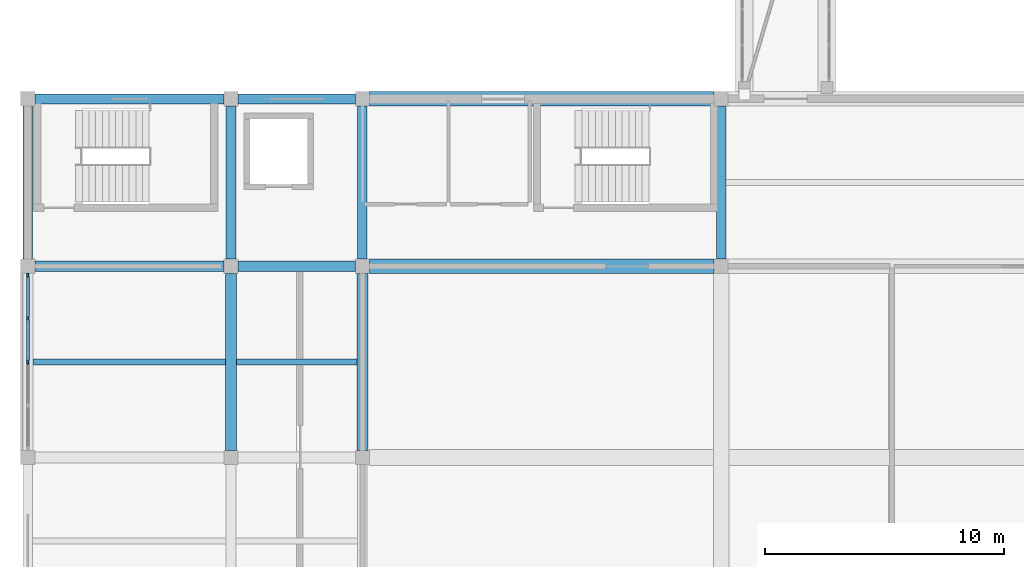
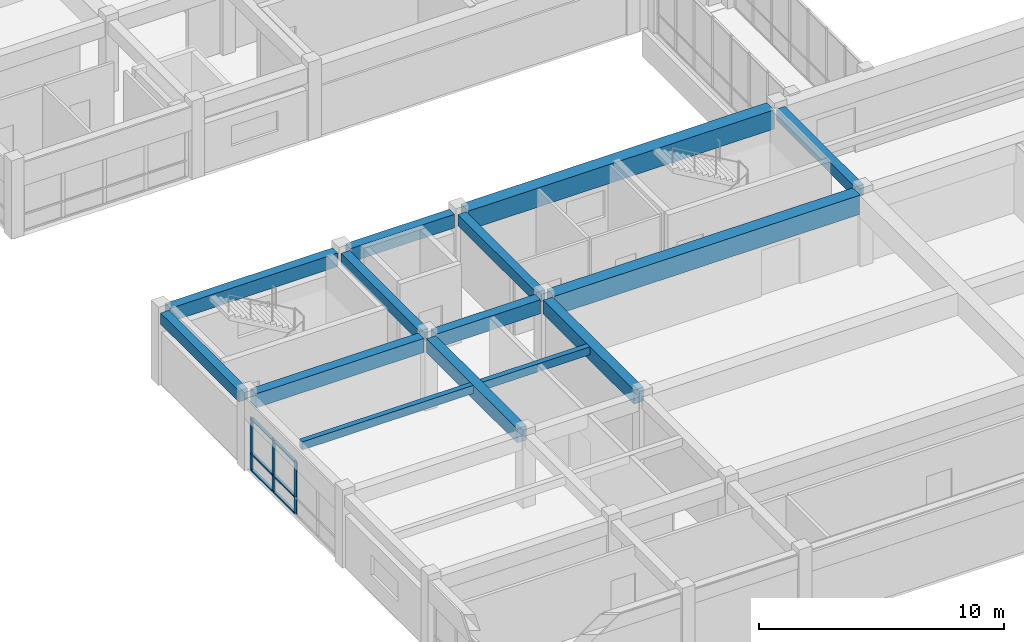
# One storey, part 5 of 66: 14 beams, 9 members, 1 element without a shape of its own.
"""IFC4 building model written with IfcOpenShell, lengths in metres."""

import ifcopenshell
import ifcopenshell.guid

model = None  # the IFC model being written
_history = None  # IfcOwnerHistory: only IFC2X3 demands one
_inside = {}  # id of a spatial element -> (the spatial element, [elements in it])
_under = {}  # id of a project, library or spatial element -> (it, [spatial elements below it])
_declared = {}  # id of a project -> (the project, [libraries it declares])
_typed = {}  # id of a type object -> (the type object, [elements of that type])
_made_of = {}  # id of a material, layer set ... -> (it, [elements and type objects made of it])


def new_model(schema):
    """Start an empty IFC model of exactly this schema.

    Asked for "IFC4X3", IfcOpenShell would pick the latest addendum, in which some entities
    have other attributes; the version numbers below select the first issue.
    IFC2X3 requires an IfcOwnerHistory on every rooted entity: one is made here for all.
    """
    global model, _history
    if schema == "IFC4X3":
        model = ifcopenshell.file(schema_version=(4, 3, 0, 0))
    else:
        model = ifcopenshell.file(schema=schema)
    _inside.clear()
    _under.clear()
    _declared.clear()
    _typed.clear()
    _made_of.clear()
    _history = None
    if model.schema == "IFC2X3":
        org = make("IfcOrganization", Name="unknown")
        user = make(
            "IfcPersonAndOrganization",
            ThePerson=make("IfcPerson", FamilyName="unknown"),
            TheOrganization=org,
        )
        app = make(
            "IfcApplication",
            ApplicationDeveloper=org,
            Version="unknown",
            ApplicationFullName="unknown",
            ApplicationIdentifier="unknown",
        )
        _history = make(
            "IfcOwnerHistory",
            OwningUser=user,
            OwningApplication=app,
            ChangeAction="ADDED",
            CreationDate=0,
        )
    return model


def make(cls, **values):
    """One entity of the class cls with the attributes given. An attribute that is None is left unset."""
    return model.create_entity(
        cls, **{name: value for name, value in values.items() if value is not None}
    )


def rooted(cls, **values):
    """An entity with a GlobalId (a new one), such as an element, a storey or a relation."""
    return make(cls, GlobalId=ifcopenshell.guid.new(), OwnerHistory=_history, **values)


def si_unit(unit_type, name, prefix=None):
    """IfcSIUnit, for example si_unit("LENGTHUNIT", "METRE", prefix="MILLI")."""
    return make("IfcSIUnit", UnitType=unit_type, Prefix=prefix, Name=name)


def assignment(units):
    """IfcUnitAssignment: the units of a project."""
    return None if units is None else make("IfcUnitAssignment", Units=units)


def point(xyz):
    """IfcCartesianPoint."""
    return None if xyz is None else make("IfcCartesianPoint", Coordinates=xyz)


def direction(xyz):
    """IfcDirection."""
    return None if xyz is None else make("IfcDirection", DirectionRatios=xyz)


def frame(location, z_axis=None, x_axis=None):
    """IfcAxis2Placement3D, a coordinate frame: its origin and axes. An axis left out is left unset."""
    return make(
        "IfcAxis2Placement3D",
        Location=point(location),
        Axis=direction(z_axis),
        RefDirection=direction(x_axis),
    )


def frame_2d(location, x_axis=None):
    """IfcAxis2Placement2D, a coordinate frame in the plane: its origin and x axis."""
    return make(
        "IfcAxis2Placement2D", Location=point(location), RefDirection=direction(x_axis)
    )


def origin():
    """The frame at (0, 0, 0) with its axes left unset."""
    return frame((0.0, 0.0, 0.0))


def origin_2d():
    """The frame at (0, 0) in the plane with its x axis left unset."""
    return frame_2d((0.0, 0.0))


def place(relative_to, where):
    """IfcLocalPlacement: puts the frame where relative to a parent placement (None: the world)."""
    return make(
        "IfcLocalPlacement", PlacementRelTo=relative_to, RelativePlacement=where
    )


def context(
    kind, dimensions, precision=None, world=None, true_north=None, identifier=None
):
    """IfcGeometricRepresentationContext, for example the 3D "Model" context."""
    return make(
        "IfcGeometricRepresentationContext",
        ContextIdentifier=identifier,
        ContextType=kind,
        CoordinateSpaceDimension=dimensions,
        Precision=precision,
        WorldCoordinateSystem=world,
        TrueNorth=true_north,
    )


def subcontext(parent, identifier, kind, view, scale=None):
    """IfcGeometricRepresentationSubContext, for example "Body" below "Model"."""
    return make(
        "IfcGeometricRepresentationSubContext",
        ContextIdentifier=identifier,
        ContextType=kind,
        ParentContext=parent,
        TargetScale=scale,
        TargetView=view,
    )


def project(units=None, contexts=None):
    """IfcProject with its units and contexts."""
    return rooted(
        "IfcProject",
        Name="project",
        RepresentationContexts=contexts,
        UnitsInContext=assignment(units),
    )


def spatial(cls, under=None, at=None, **own):
    """A site, building, storey or space (cls), placed at a placement, below another one or the project."""
    s = rooted(cls, ObjectPlacement=at, **own)
    if under is not None:
        _under.setdefault(under.id(), (under, []))[1].append(s)
    return s


def profile(cls, at=None, kind="AREA", **sizes):
    """A parametric profile (cls). Its sizes go by their IFC names, for example OverallWidth=200.0."""
    return make(cls, ProfileType=kind, Position=at, **sizes)


def rectangle(**sizes):
    """IfcRectangleProfileDef."""
    return profile("IfcRectangleProfileDef", **sizes)


def extrude(swept, where, along, depth):
    """IfcExtrudedAreaSolid: the profile swept, set in the frame where, extruded along a direction by depth."""
    return make(
        "IfcExtrudedAreaSolid",
        SweptArea=swept,
        Position=where,
        ExtrudedDirection=direction(along),
        Depth=depth,
    )


def shape(context_of_items, identifier, shape_type, items):
    """IfcShapeRepresentation: the items that make up one representation, for example the "Body"."""
    return make(
        "IfcShapeRepresentation",
        ContextOfItems=context_of_items,
        RepresentationIdentifier=identifier,
        RepresentationType=shape_type,
        Items=items,
    )


def material(Name=None, Category=None):
    """IfcMaterial."""
    return make("IfcMaterial", Name=Name, Category=Category)


def layer(
    of_material, thickness, ventilated=None, Name=None, Category=None, Priority=None
):
    """IfcMaterialLayer: one layer of a wall or slab, of a material (None: an air gap)."""
    return make(
        "IfcMaterialLayer",
        Material=of_material,
        LayerThickness=thickness,
        IsVentilated=ventilated,
        Name=Name,
        Category=Category,
        Priority=Priority,
    )


def layer_set(layers, Name=None):
    """IfcMaterialLayerSet."""
    return make("IfcMaterialLayerSet", MaterialLayers=layers, LayerSetName=Name)


def material_profile(
    of_material, cross_section, Name=None, Category=None, Priority=None
):
    """IfcMaterialProfile: a cross section and its material."""
    return make(
        "IfcMaterialProfile",
        Name=Name,
        Material=of_material,
        Profile=cross_section,
        Priority=Priority,
        Category=Category,
    )


def profile_set(profiles, Name=None, composite=None):
    """IfcMaterialProfileSet."""
    return make(
        "IfcMaterialProfileSet",
        Name=Name,
        MaterialProfiles=profiles,
        CompositeProfile=composite,
    )


def made_of(thing, what):
    """Note that an element or type object is made of a material, layer set ...; save() writes the relation."""
    if what is not None:
        _made_of.setdefault(what.id(), (what, []))[1].append(thing)
    return thing


def type_object(cls, material=None, **own):
    """A type object (cls), such as IfcWallType, which elements share."""
    return made_of(rooted(cls, **own), material)


def element(
    cls,
    number,
    at=None,
    inside=None,
    cuts=None,
    type_object=None,
    material=None,
    context=None,
    identifier="Body",
    shape_type=None,
    held_by="IfcProductDefinitionShape",
    body=None,
    shapes=None,
    **own,
):
    """One element of the class cls, such as IfcWall. Its Tag is "e" and its number.

    at: its placement. inside: the storey or other place that contains it. cuts: it is an
    opening in that element (IfcRelVoidsElement). A single representation is given by context,
    identifier, shape_type and body (its items); several are given by shapes. held_by: the class
    of the entity that holds the representations. save() writes the other relations.
    """
    e = rooted(cls, Tag="e%d" % number, ObjectPlacement=at, **own)
    if body is not None:
        shapes = [shape(context, identifier, shape_type, body)]
    if shapes is not None:
        e.Representation = make(held_by, Representations=shapes)
    if inside is not None:
        _inside.setdefault(inside.id(), (inside, []))[1].append(e)
    if cuts is not None:
        rooted(
            "IfcRelVoidsElement", RelatingBuildingElement=cuts, RelatedOpeningElement=e
        )
    if type_object is not None:
        _typed.setdefault(type_object.id(), (type_object, []))[1].append(e)
    return made_of(e, material)


def aggregate(whole, parts):
    """IfcRelAggregates: a whole, such as a stair, and the parts it consists of."""
    return rooted("IfcRelAggregates", RelatingObject=whole, RelatedObjects=parts)


def save(model, path):
    """Write the relations noted so far, then the file.

    IfcRelAggregates (storeys below a building ...), IfcRelContainedInSpatialStructure (elements
    in a storey), IfcRelDefinesByType, IfcRelAssociatesMaterial and IfcRelDeclares: one each for
    every whole, place, type object, material and project.
    """
    for whole, parts in _under.values():
        aggregate(whole, parts)
    for where, things in _inside.values():
        rooted(
            "IfcRelContainedInSpatialStructure",
            RelatedElements=things,
            RelatingStructure=where,
        )
    for kind, things in _typed.values():
        rooted("IfcRelDefinesByType", RelatedObjects=things, RelatingType=kind)
    for what, things in _made_of.values():
        rooted("IfcRelAssociatesMaterial", RelatedObjects=things, RelatingMaterial=what)
    for by, libraries in _declared.values():
        rooted("IfcRelDeclares", RelatingContext=by, RelatedDefinitions=libraries)
    model.write(path)


model = new_model("IFC4")

# Units and contexts
model_context = context("Model", 3, precision=1e-05, world=origin(), true_north=direction((0.0, 1.0)))
body_context = subcontext(model_context, "Body", "Model", "MODEL_VIEW")
ifc_project = project(units=[si_unit("LENGTHUNIT", "METRE"), si_unit("AREAUNIT", "SQUARE_METRE"), si_unit("VOLUMEUNIT", "CUBIC_METRE"), si_unit("PLANEANGLEUNIT", "RADIAN"), si_unit("MASSUNIT", "GRAM", prefix="KILO")], contexts=[model_context])

# Site, building, storey
site_placement = place(None, origin())
site = spatial("IfcSite", under=ifc_project, at=site_placement, CompositionType="ELEMENT")
building_placement = place(site_placement, origin())
building = spatial("IfcBuilding", under=site, at=building_placement, Name="Naurynzar Civic Courthouse", CompositionType="ELEMENT")
storey_placement = place(building_placement, frame((0.0, 0.0, 14.39990234375)))
storey = spatial("IfcBuildingStorey", under=building, at=storey_placement, Name="L04", CompositionType="ELEMENT", Elevation=14.39990234375)

# Beams
ifc_material_1 = material(Name="Concrete C40/50", Category="concrete")
ifc_material_profile_1 = material_profile(ifc_material_1, rectangle(XDim=0.25, YDim=0.39990234375, at=origin_2d()), Name="RCB 250x400")
ifc_profile_set_1 = profile_set([ifc_material_profile_1], Name="Concrete C40/50")
beam_type_1 = type_object("IfcBeamType", Name="BM-JST-250x400", PredefinedType="JOIST", material=ifc_profile_set_1)
beam_1_placement = place(storey_placement, frame((6.22509765625, 21.0, 3.380126953125), z_axis=(1.0, 0.0, 0.0), x_axis=(0.0, 1.0, 0.0)))
element("IfcBeam", 1, at=beam_1_placement, inside=storey, type_object=beam_type_1, Name="V4 secondary rib 1961 L04", PredefinedType="JOIST", context=body_context, shape_type="SweptSolid", body=[
    extrude(rectangle(XDim=0.25, YDim=0.39990234375, at=origin_2d()), origin(), (0.0, 0.0, 1.0), 8.0498046875),
])
beam_2_placement = place(storey_placement, frame((14.72509765625, 21.0, 3.380126953125), z_axis=(1.0, 0.0, 0.0), x_axis=(0.0, 1.0, 0.0)))
element("IfcBeam", 2, at=beam_2_placement, inside=storey, type_object=beam_type_1, Name="V4 secondary rib 1962 L04", PredefinedType="JOIST", context=body_context, shape_type="SweptSolid", body=[
    extrude(rectangle(XDim=0.25, YDim=0.39990234375, at=origin_2d()), origin(), (0.0, 0.0, 1.0), 5.0498046875),
])
ifc_material_2 = material(Name="Concrete C40/50", Category="concrete")
ifc_material_profile_2 = material_profile(ifc_material_2, rectangle(XDim=0.60009765625, YDim=0.949951171875, at=origin_2d()), Name="PTB 600x950")
ifc_profile_set_2 = profile_set([ifc_material_profile_2], Name="Concrete C40/50")
beam_type_2 = type_object("IfcBeamType", Name="BM-PT-600x950", PredefinedType="T_BEAM", material=ifc_profile_set_2)
for number, where, z_axis, x_axis, name in (
    (3, (20.300048828125, 25.0, 3.10498046875), (1.0, 0.0, 0.0), (0.0, 1.0, 0.0), "V4 beam X-1927 L04"),
    (4, (20.300048828125, 32.0, 3.10498046875), (1.0, 0.0, 0.0), (0.0, 1.0, 0.0), "V4 beam X-1932 L04"),
):
    element("IfcBeam", number, at=place(storey_placement, frame(where, z_axis=z_axis, x_axis=x_axis)), inside=storey, type_object=beam_type_2, Name=name, PredefinedType="T_BEAM", context=body_context, shape_type="SweptSolid", body=[
        extrude(rectangle(XDim=0.60009765625, YDim=0.949951171875, at=origin_2d()), origin(), (0.0, 0.0, 1.0), 14.39990234375),
    ])
ifc_material_3 = material(Name="Concrete C40/50", Category="concrete")
ifc_material_profile_3 = material_profile(ifc_material_3, rectangle(XDim=0.39990234375, YDim=0.550048828125, at=origin_2d()), Name="RCB 400x550")
ifc_profile_set_3 = profile_set([ifc_material_profile_3], Name="Concrete C40/50")
beam_type_3 = type_object("IfcBeamType", Name="BM-RC-400x550", PredefinedType="BEAM", material=ifc_profile_set_3)
for number, where, z_axis, x_axis, name in (
    (5, (6.0, 25.300048828125, 3.30517578125), (0.0, 1.0, 0.0), (-1.0, 0.0, 0.0), "V4 girder Y-1938 L04"),
    (6, (14.5, 25.300048828125, 3.30517578125), (0.0, 1.0, 0.0), (-1.0, 0.0, 0.0), "V4 girder Y-1942 L04"),
    (7, (20.0, 25.300048828125, 3.30517578125), (0.0, 1.0, 0.0), (-1.0, 0.0, 0.0), "V4 girder Y-1946 L04"),
    (8, (35.0, 25.300048828125, 3.30517578125), (0.0, 1.0, 0.0), (-1.0, 0.0, 0.0), "V4 girder Y-1949 L04"),
):
    element("IfcBeam", number, at=place(storey_placement, frame(where, z_axis=z_axis, x_axis=x_axis)), inside=storey, type_object=beam_type_3, Name=name, PredefinedType="BEAM", context=body_context, shape_type="SweptSolid", body=[
        extrude(rectangle(XDim=0.39990234375, YDim=0.550048828125, at=origin_2d()), origin(), (0.0, 0.0, 1.0), 6.39990234375),
    ])
ifc_material_4 = material(Name="Concrete C40/50", Category="concrete")
ifc_material_profile_4 = material_profile(ifc_material_4, rectangle(XDim=0.425048828125, YDim=0.675048828125, at=origin_2d()), Name="RCB 425x675")
ifc_profile_set_4 = profile_set([ifc_material_profile_4], Name="Concrete C40/50")
beam_type_4 = type_object("IfcBeamType", Name="BM-RC-425x675", PredefinedType="SPANDREL", material=ifc_profile_set_4)
beam_3_placement = place(storey_placement, frame((6.300048828125, 32.0, 3.24267578125), z_axis=(1.0, 0.0, 0.0), x_axis=(0.0, 1.0, 0.0)))
element("IfcBeam", 9, at=beam_3_placement, inside=storey, type_object=beam_type_4, Name="V4 beam X-1930 L04", PredefinedType="SPANDREL", context=body_context, shape_type="SweptSolid", body=[
    extrude(rectangle(XDim=0.425048828125, YDim=0.675048828125, at=origin_2d()), origin(), (0.0, 0.0, 1.0), 7.89990234375),
])
beam_4_placement = place(storey_placement, frame((14.800048828125, 32.0, 3.24267578125), z_axis=(1.0, 0.0, 0.0), x_axis=(0.0, 1.0, 0.0)))
element("IfcBeam", 10, at=beam_4_placement, inside=storey, type_object=beam_type_4, Name="V4 beam X-1931 L04", PredefinedType="SPANDREL", context=body_context, shape_type="SweptSolid", body=[
    extrude(rectangle(XDim=0.425048828125, YDim=0.675048828125, at=origin_2d()), origin(), (0.0, 0.0, 1.0), 4.89990234375),
])
ifc_material_5 = material(Name="Concrete C40/50", Category="concrete")
ifc_material_profile_5 = material_profile(ifc_material_5, rectangle(XDim=0.449951171875, YDim=0.699951171875, at=origin_2d()), Name="RCB 450x700")
ifc_profile_set_5 = profile_set([ifc_material_profile_5], Name="Concrete C40/50")
beam_type_5 = type_object("IfcBeamType", Name="BM-RC-450x700", PredefinedType="BEAM", material=ifc_profile_set_5)
beam_5_placement = place(storey_placement, frame((6.300048828125, 25.0, 3.22998046875), z_axis=(1.0, 0.0, 0.0), x_axis=(0.0, 1.0, 0.0)))
element("IfcBeam", 11, at=beam_5_placement, inside=storey, type_object=beam_type_5, Name="V4 beam X-1925 L04", PredefinedType="BEAM", context=body_context, shape_type="SweptSolid", body=[
    extrude(rectangle(XDim=0.449951171875, YDim=0.699951171875, at=origin_2d()), origin(), (0.0, 0.0, 1.0), 7.89990234375),
])
beam_6_placement = place(storey_placement, frame((14.800048828125, 25.0, 3.22998046875), z_axis=(1.0, 0.0, 0.0), x_axis=(0.0, 1.0, 0.0)))
element("IfcBeam", 12, at=beam_6_placement, inside=storey, type_object=beam_type_5, Name="V4 beam X-1926 L04", PredefinedType="BEAM", context=body_context, shape_type="SweptSolid", body=[
    extrude(rectangle(XDim=0.449951171875, YDim=0.699951171875, at=origin_2d()), origin(), (0.0, 0.0, 1.0), 4.89990234375),
])
for number, where, z_axis, x_axis, name in (
    (13, (14.5, 17.300048828125, 3.22998046875), (0.0, 1.0, 0.0), (-1.0, 0.0, 0.0), "V4 girder Y-1941 L04"),
    (14, (20.0, 17.300048828125, 3.22998046875), (0.0, 1.0, 0.0), (-1.0, 0.0, 0.0), "V4 girder Y-1945 L04"),
):
    element("IfcBeam", number, at=place(storey_placement, frame(where, z_axis=z_axis, x_axis=x_axis)), inside=storey, type_object=beam_type_5, Name=name, PredefinedType="BEAM", context=body_context, shape_type="SweptSolid", body=[
        extrude(rectangle(XDim=0.449951171875, YDim=0.699951171875, at=origin_2d()), origin(), (0.0, 0.0, 1.0), 7.39990234375),
    ])

# Curtain wall, members
ifc_material_6 = material(Name="Aluminium 6063-T6", Category="aluminium")
ifc_layer = layer(ifc_material_6, 0.159912109375)
ifc_layer_set = layer_set([ifc_layer], Name="CW-UNIT-1800")
curtain_wall_type = type_object("IfcCurtainWallType", Name="CW-UNIT-1800", PredefinedType="NOTDEFINED", material=ifc_layer_set)
curtain_wall_placement = place(storey_placement, origin())
curtain_wall = element("IfcCurtainWall", 15, at=curtain_wall_placement, inside=storey, type_object=curtain_wall_type, Name="V4 unitised curtain wall 81 L04", PredefinedType="NOTDEFINED")
ifc_material_7 = material(Name="Aluminium 6063-T6", Category="aluminium")
ifc_material_profile_6 = material_profile(ifc_material_7, rectangle(XDim=0.070068359375, YDim=0.179931640625, at=origin_2d()), Name="ALU MULLION 70x180")
ifc_profile_set_6 = profile_set([ifc_material_profile_6], Name="Aluminium 6063-T6")
member_type_1 = type_object("IfcMemberType", Name="CWM-70x180", PredefinedType="MULLION", material=ifc_profile_set_6)
member_1_placement = place(storey_placement, frame((6.0, 21.0, 0.0), z_axis=(0.0, 0.0, 1.0), x_axis=(-1.0, 0.0, 0.0)))
member_1 = element("IfcMember", 16, at=member_1_placement, type_object=member_type_1, Name="CW-02 mullion 3", PredefinedType="MULLION", context=body_context, shape_type="SweptSolid", body=[
    extrude(rectangle(XDim=0.070068359375, YDim=0.179931640625, at=origin_2d()), origin(), (0.0, 0.0, 1.0), 2.610107421875),
])
member_2_placement = place(storey_placement, frame((6.0, 22.824951171875, 0.0), z_axis=(0.0, 0.0, 1.0), x_axis=(-1.0, 0.0, 0.0)))
member_2 = element("IfcMember", 17, at=member_2_placement, type_object=member_type_1, Name="CW-02 mullion 4", PredefinedType="MULLION", context=body_context, shape_type="SweptSolid", body=[
    extrude(rectangle(XDim=0.070068359375, YDim=0.179931640625, at=origin_2d()), origin(), (0.0, 0.0, 1.0), 2.610107421875),
])
member_3_placement = place(storey_placement, frame((6.0, 24.614990234375, 0.0), z_axis=(0.0, 0.0, 1.0), x_axis=(-1.0, 0.0, 0.0)))
member_3 = element("IfcMember", 18, at=member_3_placement, type_object=member_type_1, Name="CW-02 mullion 5", PredefinedType="MULLION", context=body_context, shape_type="SweptSolid", body=[
    extrude(rectangle(XDim=0.070068359375, YDim=0.179931640625, at=origin_2d()), origin(), (0.0, 0.0, 1.0), 2.610107421875),
])
ifc_material_8 = material(Name="Aluminium 6063-T6", Category="aluminium")
ifc_material_profile_7 = material_profile(ifc_material_8, rectangle(XDim=0.1298828125, YDim=0.070068359375, at=origin_2d()), Name="ALU TRANSOM 70x130")
ifc_profile_set_7 = profile_set([ifc_material_profile_7], Name="Aluminium 6063-T6")
member_type_2 = type_object("IfcMemberType", Name="CWT-70x130", PredefinedType="USERDEFINED", material=ifc_profile_set_7)
member_4_placement = place(storey_placement, frame((6.0, 21.034912109375, 0.03515625), z_axis=(0.0, 1.0, 0.0), x_axis=(-1.0, 0.0, 0.0)))
member_4 = element("IfcMember", 19, at=member_4_placement, type_object=member_type_2, Name="CW-02 transom 3.1", ObjectType="TRANSOM", PredefinedType="USERDEFINED", context=body_context, shape_type="SweptSolid", body=[
    extrude(rectangle(XDim=0.1298828125, YDim=0.070068359375, at=origin_2d()), origin(), (0.0, 0.0, 1.0), 1.755126953125),
])
member_5_placement = place(storey_placement, frame((6.0, 21.034912109375, 0.85009765625), z_axis=(0.0, 1.0, 0.0), x_axis=(-1.0, 0.0, 0.0)))
member_5 = element("IfcMember", 20, at=member_5_placement, type_object=member_type_2, Name="CW-02 transom 3.2", ObjectType="TRANSOM", PredefinedType="USERDEFINED", context=body_context, shape_type="SweptSolid", body=[
    extrude(rectangle(XDim=0.1298828125, YDim=0.070068359375, at=origin_2d()), origin(), (0.0, 0.0, 1.0), 1.755126953125),
])
member_6_placement = place(storey_placement, frame((6.0, 21.034912109375, 2.5751953125), z_axis=(0.0, 1.0, 0.0), x_axis=(-1.0, 0.0, 0.0)))
member_6 = element("IfcMember", 21, at=member_6_placement, type_object=member_type_2, Name="CW-02 transom 3.3", ObjectType="TRANSOM", PredefinedType="USERDEFINED", context=body_context, shape_type="SweptSolid", body=[
    extrude(rectangle(XDim=0.1298828125, YDim=0.070068359375, at=origin_2d()), origin(), (0.0, 0.0, 1.0), 1.755126953125),
])
member_7_placement = place(storey_placement, frame((6.0, 22.860107421875, 0.03515625), z_axis=(0.0, 1.0, 0.0), x_axis=(-1.0, 0.0, 0.0)))
member_7 = element("IfcMember", 22, at=member_7_placement, type_object=member_type_2, Name="CW-02 transom 4.1", ObjectType="TRANSOM", PredefinedType="USERDEFINED", context=body_context, shape_type="SweptSolid", body=[
    extrude(rectangle(XDim=0.1298828125, YDim=0.070068359375, at=origin_2d()), origin(), (0.0, 0.0, 1.0), 1.719970703125),
])
member_8_placement = place(storey_placement, frame((6.0, 22.860107421875, 0.85009765625), z_axis=(0.0, 1.0, 0.0), x_axis=(-1.0, 0.0, 0.0)))
member_8 = element("IfcMember", 23, at=member_8_placement, type_object=member_type_2, Name="CW-02 transom 4.2", ObjectType="TRANSOM", PredefinedType="USERDEFINED", context=body_context, shape_type="SweptSolid", body=[
    extrude(rectangle(XDim=0.1298828125, YDim=0.070068359375, at=origin_2d()), origin(), (0.0, 0.0, 1.0), 1.719970703125),
])
member_9_placement = place(storey_placement, frame((6.0, 22.860107421875, 2.5751953125), z_axis=(0.0, 1.0, 0.0), x_axis=(-1.0, 0.0, 0.0)))
member_9 = element("IfcMember", 24, at=member_9_placement, type_object=member_type_2, Name="CW-02 transom 4.3", ObjectType="TRANSOM", PredefinedType="USERDEFINED", context=body_context, shape_type="SweptSolid", body=[
    extrude(rectangle(XDim=0.1298828125, YDim=0.070068359375, at=origin_2d()), origin(), (0.0, 0.0, 1.0), 1.719970703125),
])
aggregate(curtain_wall, [member_1, member_2, member_3, member_4, member_5, member_6, member_7, member_8, member_9])

save(model, "model.ifc")
